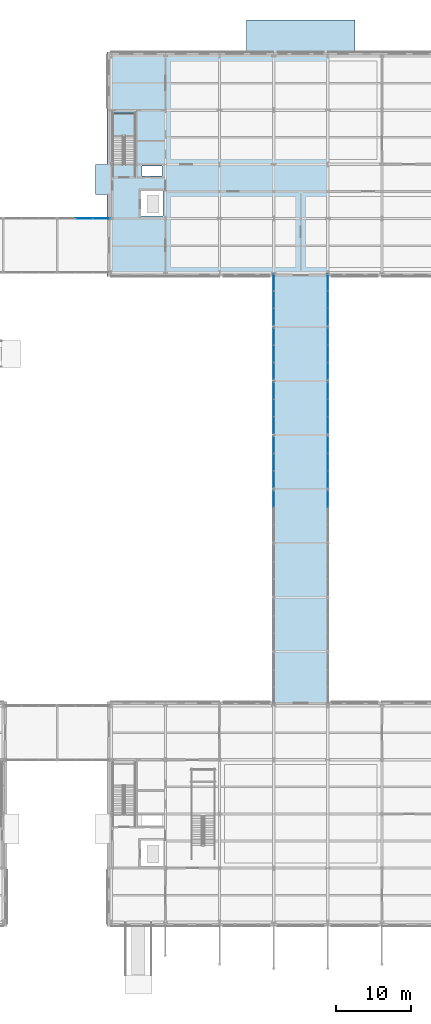
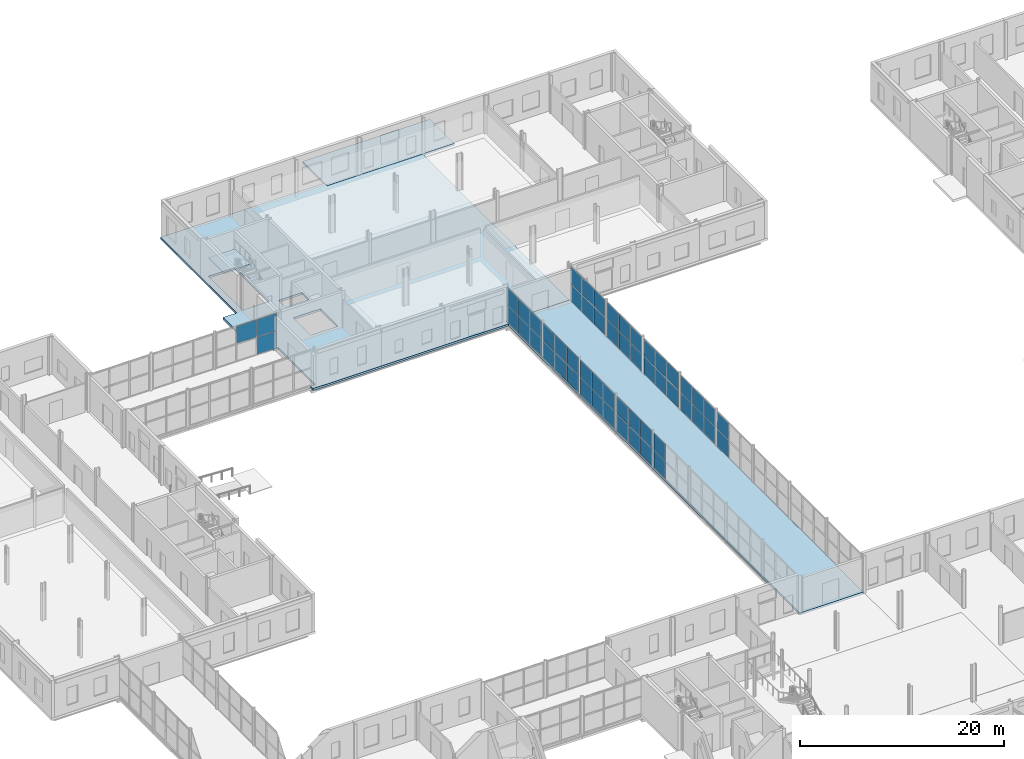
# One storey, part 46 of 92: 55 plates, 4 slabs, 12 elements without a shape of their own.
"""IFC4 building model written with IfcOpenShell, lengths in metres."""

from ifc_helpers import new_model, si_unit, direction, frame, origin, origin_2d, place, context, subcontext, project, spatial, polyline, rectangle, outline, extrude, material, layer, layer_set, type_object, element, aggregate, save


model = new_model("IFC4")

# Units and contexts
model_context = context("Model", 3, precision=1e-05, world=origin(), true_north=direction((0.0, 1.0)))
body_context = subcontext(model_context, "Body", "Model", "MODEL_VIEW")
ifc_project = project(units=[si_unit("LENGTHUNIT", "METRE"), si_unit("AREAUNIT", "SQUARE_METRE"), si_unit("VOLUMEUNIT", "CUBIC_METRE"), si_unit("PLANEANGLEUNIT", "RADIAN"), si_unit("MASSUNIT", "GRAM", prefix="KILO")], contexts=[model_context])

# Site, building, storey
site_placement = place(None, origin())
site = spatial("IfcSite", under=ifc_project, at=site_placement, CompositionType="ELEMENT")
building_placement = place(site_placement, origin())
building = spatial("IfcBuilding", under=site, at=building_placement, Name="Zlatovets Crest Museum", CompositionType="ELEMENT")
storey_placement = place(building_placement, origin())
storey = spatial("IfcBuildingStorey", under=building, at=storey_placement, Name="L00", CompositionType="ELEMENT", Elevation=0.0)

# Curtain wall, plates
ifc_material_1 = material(Name="Bronze-anodised aluminium and low-E triple glass", Category="aluminium")
curtain_wall_type_1 = type_object("IfcCurtainWallType", Name="CW_CW-BR3-L00-S69", PredefinedType="NOTDEFINED", material=ifc_material_1)
curtain_wall_1_placement = place(storey_placement, origin())
curtain_wall_1 = element("IfcCurtainWall", 1, at=curtain_wall_1_placement, inside=storey, type_object=curtain_wall_type_1, Name="Northwest Crest Glazed Link Bridge L00 Glazed Bridge Curtain Wall", PredefinedType="NOTDEFINED")
ifc_material_2 = material(Name="Solar-control low-E laminated triple glass", Category="glass")
ifc_layer_1 = layer(ifc_material_2, 0.030029296875)
ifc_layer_set_1 = layer_set([ifc_layer_1], Name="Solar-control low-E laminated triple glass")
plate_type_1 = type_object("IfcPlateType", Name="CWPanel_CW-BR3-L00-S69", PredefinedType="CURTAIN_PANEL", material=ifc_layer_set_1)
plate_1_placement = place(storey_placement, frame((54.0, 93.60009765625, 2.169921875), z_axis=(0.0, 0.0, 1.0), x_axis=(1.0, 0.0, 0.0)))
plate_1 = element("IfcPlate", 2, at=plate_1_placement, type_object=plate_type_1, Name="CW-BR3-L00-S69 panel 2.2", PredefinedType="CURTAIN_PANEL", context=body_context, shape_type="SweptSolid", body=[
    extrude(rectangle(XDim=2.239990234375, YDim=0.030029296875, at=origin_2d()), origin(), (0.0, 0.0, 1.0), 2.050048828125),
])
plate_2_placement = place(storey_placement, frame((56.284912109375, 93.60009765625, 0.06005859375), z_axis=(0.0, 0.0, 1.0), x_axis=(1.0, 0.0, 0.0)))
plate_2 = element("IfcPlate", 3, at=plate_2_placement, type_object=plate_type_1, Name="CW-BR3-L00-S69 panel 3.1", PredefinedType="CURTAIN_PANEL", context=body_context, shape_type="SweptSolid", body=[
    extrude(rectangle(XDim=2.2099609375, YDim=0.030029296875, at=origin_2d()), origin(), (0.0, 0.0, 1.0), 2.050048828125),
])
plate_3_placement = place(storey_placement, frame((56.284912109375, 93.60009765625, 2.169921875), z_axis=(0.0, 0.0, 1.0), x_axis=(1.0, 0.0, 0.0)))
plate_3 = element("IfcPlate", 4, at=plate_3_placement, type_object=plate_type_1, Name="CW-BR3-L00-S69 panel 3.2", PredefinedType="CURTAIN_PANEL", context=body_context, shape_type="SweptSolid", body=[
    extrude(rectangle(XDim=2.2099609375, YDim=0.030029296875, at=origin_2d()), origin(), (0.0, 0.0, 1.0), 2.050048828125),
])
aggregate(curtain_wall_1, [plate_1, plate_2, plate_3])

curtain_wall_type_2 = type_object("IfcCurtainWallType", Name="CW_CW-BR5-L00-S69", PredefinedType="NOTDEFINED", material=ifc_material_1)
curtain_wall_2_placement = place(storey_placement, origin())
curtain_wall_2 = element("IfcCurtainWall", 5, at=curtain_wall_2_placement, inside=storey, type_object=curtain_wall_type_2, Name="Central Sculpture Court Cloister and Skywalk L00 Glazed Bridge Curtain Wall", PredefinedType="NOTDEFINED")
ifc_layer_2 = layer(ifc_material_2, 0.030029296875)
ifc_layer_set_2 = layer_set([ifc_layer_2], Name="Solar-control low-E laminated triple glass")
plate_type_2 = type_object("IfcPlateType", Name="CWPanel_CW-BR5-L00-S69", PredefinedType="CURTAIN_PANEL", material=ifc_layer_set_2)
plate_4_placement = place(storey_placement, frame((79.199951171875, 56.284912109375, 0.06005859375), z_axis=(0.0, 0.0, 1.0), x_axis=(0.0, 1.0, 0.0)))
plate_4 = element("IfcPlate", 6, at=plate_4_placement, type_object=plate_type_2, Name="CW-BR5-L00-S69 panel 3.1", PredefinedType="CURTAIN_PANEL", context=body_context, shape_type="SweptSolid", body=[
    extrude(rectangle(XDim=2.2099609375, YDim=0.030029296875, at=origin_2d()), origin(), (0.0, 0.0, 1.0), 2.050048828125),
])
plate_5_placement = place(storey_placement, frame((79.199951171875, 56.284912109375, 2.169921875), z_axis=(0.0, 0.0, 1.0), x_axis=(0.0, 1.0, 0.0)))
plate_5 = element("IfcPlate", 7, at=plate_5_placement, type_object=plate_type_2, Name="CW-BR5-L00-S69 panel 3.2", PredefinedType="CURTAIN_PANEL", context=body_context, shape_type="SweptSolid", body=[
    extrude(rectangle(XDim=2.2099609375, YDim=0.030029296875, at=origin_2d()), origin(), (0.0, 0.0, 1.0), 2.050048828125),
])
aggregate(curtain_wall_2, [plate_4, plate_5])

curtain_wall_3_placement = place(storey_placement, origin())
curtain_wall_3 = element("IfcCurtainWall", 8, at=curtain_wall_3_placement, inside=storey, type_object=curtain_wall_type_2, Name="Central Sculpture Court Cloister and Skywalk L00 Glazed Bridge Curtain Wall", PredefinedType="NOTDEFINED")
plate_6_placement = place(storey_placement, frame((79.199951171875, 58.9150390625, 0.06005859375), z_axis=(0.0, 0.0, 1.0), x_axis=(0.0, 1.0, 0.0)))
plate_6 = element("IfcPlate", 9, at=plate_6_placement, type_object=plate_type_2, Name="CW-BR5-L00-S69 panel 1.1", PredefinedType="CURTAIN_PANEL", context=body_context, shape_type="SweptSolid", body=[
    extrude(rectangle(XDim=2.2099609375, YDim=0.030029296875, at=origin_2d()), origin(), (0.0, 0.0, 1.0), 2.050048828125),
])
plate_7_placement = place(storey_placement, frame((79.199951171875, 58.9150390625, 2.169921875), z_axis=(0.0, 0.0, 1.0), x_axis=(0.0, 1.0, 0.0)))
plate_7 = element("IfcPlate", 10, at=plate_7_placement, type_object=plate_type_2, Name="CW-BR5-L00-S69 panel 1.2", PredefinedType="CURTAIN_PANEL", context=body_context, shape_type="SweptSolid", body=[
    extrude(rectangle(XDim=2.2099609375, YDim=0.030029296875, at=origin_2d()), origin(), (0.0, 0.0, 1.0), 2.050048828125),
])
plate_8_placement = place(storey_placement, frame((79.199951171875, 61.199951171875, 0.06005859375), z_axis=(0.0, 0.0, 1.0), x_axis=(0.0, 1.0, 0.0)))
plate_8 = element("IfcPlate", 11, at=plate_8_placement, type_object=plate_type_2, Name="CW-BR5-L00-S69 panel 2.1", PredefinedType="CURTAIN_PANEL", context=body_context, shape_type="SweptSolid", body=[
    extrude(rectangle(XDim=2.239990234375, YDim=0.030029296875, at=origin_2d()), origin(), (0.0, 0.0, 1.0), 2.050048828125),
])
plate_9_placement = place(storey_placement, frame((79.199951171875, 61.199951171875, 2.169921875), z_axis=(0.0, 0.0, 1.0), x_axis=(0.0, 1.0, 0.0)))
plate_9 = element("IfcPlate", 12, at=plate_9_placement, type_object=plate_type_2, Name="CW-BR5-L00-S69 panel 2.2", PredefinedType="CURTAIN_PANEL", context=body_context, shape_type="SweptSolid", body=[
    extrude(rectangle(XDim=2.239990234375, YDim=0.030029296875, at=origin_2d()), origin(), (0.0, 0.0, 1.0), 2.050048828125),
])
plate_10_placement = place(storey_placement, frame((79.199951171875, 63.485107421875, 0.06005859375), z_axis=(0.0, 0.0, 1.0), x_axis=(0.0, 1.0, 0.0)))
plate_10 = element("IfcPlate", 13, at=plate_10_placement, type_object=plate_type_2, Name="CW-BR5-L00-S69 panel 3.1", PredefinedType="CURTAIN_PANEL", context=body_context, shape_type="SweptSolid", body=[
    extrude(rectangle(XDim=2.2099609375, YDim=0.030029296875, at=origin_2d()), origin(), (0.0, 0.0, 1.0), 2.050048828125),
])
plate_11_placement = place(storey_placement, frame((79.199951171875, 63.485107421875, 2.169921875), z_axis=(0.0, 0.0, 1.0), x_axis=(0.0, 1.0, 0.0)))
plate_11 = element("IfcPlate", 14, at=plate_11_placement, type_object=plate_type_2, Name="CW-BR5-L00-S69 panel 3.2", PredefinedType="CURTAIN_PANEL", context=body_context, shape_type="SweptSolid", body=[
    extrude(rectangle(XDim=2.2099609375, YDim=0.030029296875, at=origin_2d()), origin(), (0.0, 0.0, 1.0), 2.050048828125),
])
aggregate(curtain_wall_3, [plate_6, plate_7, plate_8, plate_9, plate_10, plate_11])

curtain_wall_4_placement = place(storey_placement, origin())
curtain_wall_4 = element("IfcCurtainWall", 15, at=curtain_wall_4_placement, inside=storey, type_object=curtain_wall_type_2, Name="Central Sculpture Court Cloister and Skywalk L00 Glazed Bridge Curtain Wall", PredefinedType="NOTDEFINED")
plate_12_placement = place(storey_placement, frame((79.199951171875, 66.114990234375, 0.06005859375), z_axis=(0.0, 0.0, 1.0), x_axis=(0.0, 1.0, 0.0)))
plate_12 = element("IfcPlate", 16, at=plate_12_placement, type_object=plate_type_2, Name="CW-BR5-L00-S69 panel 1.1", PredefinedType="CURTAIN_PANEL", context=body_context, shape_type="SweptSolid", body=[
    extrude(rectangle(XDim=2.2099609375, YDim=0.030029296875, at=origin_2d()), origin(), (0.0, 0.0, 1.0), 2.050048828125),
])
plate_13_placement = place(storey_placement, frame((79.199951171875, 66.114990234375, 2.169921875), z_axis=(0.0, 0.0, 1.0), x_axis=(0.0, 1.0, 0.0)))
plate_13 = element("IfcPlate", 17, at=plate_13_placement, type_object=plate_type_2, Name="CW-BR5-L00-S69 panel 1.2", PredefinedType="CURTAIN_PANEL", context=body_context, shape_type="SweptSolid", body=[
    extrude(rectangle(XDim=2.2099609375, YDim=0.030029296875, at=origin_2d()), origin(), (0.0, 0.0, 1.0), 2.050048828125),
])
plate_14_placement = place(storey_placement, frame((79.199951171875, 68.39990234375, 0.06005859375), z_axis=(0.0, 0.0, 1.0), x_axis=(0.0, 1.0, 0.0)))
plate_14 = element("IfcPlate", 18, at=plate_14_placement, type_object=plate_type_2, Name="CW-BR5-L00-S69 panel 2.1", PredefinedType="CURTAIN_PANEL", context=body_context, shape_type="SweptSolid", body=[
    extrude(rectangle(XDim=2.239990234375, YDim=0.030029296875, at=origin_2d()), origin(), (0.0, 0.0, 1.0), 2.050048828125),
])
plate_15_placement = place(storey_placement, frame((79.199951171875, 68.39990234375, 2.169921875), z_axis=(0.0, 0.0, 1.0), x_axis=(0.0, 1.0, 0.0)))
plate_15 = element("IfcPlate", 19, at=plate_15_placement, type_object=plate_type_2, Name="CW-BR5-L00-S69 panel 2.2", PredefinedType="CURTAIN_PANEL", context=body_context, shape_type="SweptSolid", body=[
    extrude(rectangle(XDim=2.239990234375, YDim=0.030029296875, at=origin_2d()), origin(), (0.0, 0.0, 1.0), 2.050048828125),
])
plate_16_placement = place(storey_placement, frame((79.199951171875, 70.68505859375, 0.06005859375), z_axis=(0.0, 0.0, 1.0), x_axis=(0.0, 1.0, 0.0)))
plate_16 = element("IfcPlate", 20, at=plate_16_placement, type_object=plate_type_2, Name="CW-BR5-L00-S69 panel 3.1", PredefinedType="CURTAIN_PANEL", context=body_context, shape_type="SweptSolid", body=[
    extrude(rectangle(XDim=2.2099609375, YDim=0.030029296875, at=origin_2d()), origin(), (0.0, 0.0, 1.0), 2.050048828125),
])
plate_17_placement = place(storey_placement, frame((79.199951171875, 70.68505859375, 2.169921875), z_axis=(0.0, 0.0, 1.0), x_axis=(0.0, 1.0, 0.0)))
plate_17 = element("IfcPlate", 21, at=plate_17_placement, type_object=plate_type_2, Name="CW-BR5-L00-S69 panel 3.2", PredefinedType="CURTAIN_PANEL", context=body_context, shape_type="SweptSolid", body=[
    extrude(rectangle(XDim=2.2099609375, YDim=0.030029296875, at=origin_2d()), origin(), (0.0, 0.0, 1.0), 2.050048828125),
])
aggregate(curtain_wall_4, [plate_12, plate_13, plate_14, plate_15, plate_16, plate_17])

curtain_wall_5_placement = place(storey_placement, origin())
curtain_wall_5 = element("IfcCurtainWall", 22, at=curtain_wall_5_placement, inside=storey, type_object=curtain_wall_type_2, Name="Central Sculpture Court Cloister and Skywalk L00 Glazed Bridge Curtain Wall", PredefinedType="NOTDEFINED")
plate_18_placement = place(storey_placement, frame((79.199951171875, 73.31494140625, 0.06005859375), z_axis=(0.0, 0.0, 1.0), x_axis=(0.0, 1.0, 0.0)))
plate_18 = element("IfcPlate", 23, at=plate_18_placement, type_object=plate_type_2, Name="CW-BR5-L00-S69 panel 1.1", PredefinedType="CURTAIN_PANEL", context=body_context, shape_type="SweptSolid", body=[
    extrude(rectangle(XDim=2.2099609375, YDim=0.030029296875, at=origin_2d()), origin(), (0.0, 0.0, 1.0), 2.050048828125),
])
plate_19_placement = place(storey_placement, frame((79.199951171875, 73.31494140625, 2.169921875), z_axis=(0.0, 0.0, 1.0), x_axis=(0.0, 1.0, 0.0)))
plate_19 = element("IfcPlate", 24, at=plate_19_placement, type_object=plate_type_2, Name="CW-BR5-L00-S69 panel 1.2", PredefinedType="CURTAIN_PANEL", context=body_context, shape_type="SweptSolid", body=[
    extrude(rectangle(XDim=2.2099609375, YDim=0.030029296875, at=origin_2d()), origin(), (0.0, 0.0, 1.0), 2.050048828125),
])
plate_20_placement = place(storey_placement, frame((79.199951171875, 75.60009765625, 0.06005859375), z_axis=(0.0, 0.0, 1.0), x_axis=(0.0, 1.0, 0.0)))
plate_20 = element("IfcPlate", 25, at=plate_20_placement, type_object=plate_type_2, Name="CW-BR5-L00-S69 panel 2.1", PredefinedType="CURTAIN_PANEL", context=body_context, shape_type="SweptSolid", body=[
    extrude(rectangle(XDim=2.239990234375, YDim=0.030029296875, at=origin_2d()), origin(), (0.0, 0.0, 1.0), 2.050048828125),
])
plate_21_placement = place(storey_placement, frame((79.199951171875, 75.60009765625, 2.169921875), z_axis=(0.0, 0.0, 1.0), x_axis=(0.0, 1.0, 0.0)))
plate_21 = element("IfcPlate", 26, at=plate_21_placement, type_object=plate_type_2, Name="CW-BR5-L00-S69 panel 2.2", PredefinedType="CURTAIN_PANEL", context=body_context, shape_type="SweptSolid", body=[
    extrude(rectangle(XDim=2.239990234375, YDim=0.030029296875, at=origin_2d()), origin(), (0.0, 0.0, 1.0), 2.050048828125),
])
plate_22_placement = place(storey_placement, frame((79.199951171875, 77.885009765625, 0.06005859375), z_axis=(0.0, 0.0, 1.0), x_axis=(0.0, 1.0, 0.0)))
plate_22 = element("IfcPlate", 27, at=plate_22_placement, type_object=plate_type_2, Name="CW-BR5-L00-S69 panel 3.1", PredefinedType="CURTAIN_PANEL", context=body_context, shape_type="SweptSolid", body=[
    extrude(rectangle(XDim=2.2099609375, YDim=0.030029296875, at=origin_2d()), origin(), (0.0, 0.0, 1.0), 2.050048828125),
])
plate_23_placement = place(storey_placement, frame((79.199951171875, 77.885009765625, 2.169921875), z_axis=(0.0, 0.0, 1.0), x_axis=(0.0, 1.0, 0.0)))
plate_23 = element("IfcPlate", 28, at=plate_23_placement, type_object=plate_type_2, Name="CW-BR5-L00-S69 panel 3.2", PredefinedType="CURTAIN_PANEL", context=body_context, shape_type="SweptSolid", body=[
    extrude(rectangle(XDim=2.2099609375, YDim=0.030029296875, at=origin_2d()), origin(), (0.0, 0.0, 1.0), 2.050048828125),
])
aggregate(curtain_wall_5, [plate_18, plate_19, plate_20, plate_21, plate_22, plate_23])

curtain_wall_6_placement = place(storey_placement, origin())
curtain_wall_6 = element("IfcCurtainWall", 29, at=curtain_wall_6_placement, inside=storey, type_object=curtain_wall_type_2, Name="Central Sculpture Court Cloister and Skywalk L00 Glazed Bridge Curtain Wall", PredefinedType="NOTDEFINED")
plate_24_placement = place(storey_placement, frame((79.199951171875, 80.514892578125, 0.06005859375), z_axis=(0.0, 0.0, 1.0), x_axis=(0.0, 1.0, 0.0)))
plate_24 = element("IfcPlate", 30, at=plate_24_placement, type_object=plate_type_2, Name="CW-BR5-L00-S69 panel 1.1", PredefinedType="CURTAIN_PANEL", context=body_context, shape_type="SweptSolid", body=[
    extrude(rectangle(XDim=2.2099609375, YDim=0.030029296875, at=origin_2d()), origin(), (0.0, 0.0, 1.0), 2.050048828125),
])
plate_25_placement = place(storey_placement, frame((79.199951171875, 80.514892578125, 2.169921875), z_axis=(0.0, 0.0, 1.0), x_axis=(0.0, 1.0, 0.0)))
plate_25 = element("IfcPlate", 31, at=plate_25_placement, type_object=plate_type_2, Name="CW-BR5-L00-S69 panel 1.2", PredefinedType="CURTAIN_PANEL", context=body_context, shape_type="SweptSolid", body=[
    extrude(rectangle(XDim=2.2099609375, YDim=0.030029296875, at=origin_2d()), origin(), (0.0, 0.0, 1.0), 2.050048828125),
])
plate_26_placement = place(storey_placement, frame((79.199951171875, 82.800048828125, 0.06005859375), z_axis=(0.0, 0.0, 1.0), x_axis=(0.0, 1.0, 0.0)))
plate_26 = element("IfcPlate", 32, at=plate_26_placement, type_object=plate_type_2, Name="CW-BR5-L00-S69 panel 2.1", PredefinedType="CURTAIN_PANEL", context=body_context, shape_type="SweptSolid", body=[
    extrude(rectangle(XDim=2.239990234375, YDim=0.030029296875, at=origin_2d()), origin(), (0.0, 0.0, 1.0), 2.050048828125),
])
plate_27_placement = place(storey_placement, frame((79.199951171875, 82.800048828125, 2.169921875), z_axis=(0.0, 0.0, 1.0), x_axis=(0.0, 1.0, 0.0)))
plate_27 = element("IfcPlate", 33, at=plate_27_placement, type_object=plate_type_2, Name="CW-BR5-L00-S69 panel 2.2", PredefinedType="CURTAIN_PANEL", context=body_context, shape_type="SweptSolid", body=[
    extrude(rectangle(XDim=2.239990234375, YDim=0.030029296875, at=origin_2d()), origin(), (0.0, 0.0, 1.0), 2.050048828125),
])
plate_28_placement = place(storey_placement, frame((79.199951171875, 85.0849609375, 0.06005859375), z_axis=(0.0, 0.0, 1.0), x_axis=(0.0, 1.0, 0.0)))
plate_28 = element("IfcPlate", 34, at=plate_28_placement, type_object=plate_type_2, Name="CW-BR5-L00-S69 panel 3.1", PredefinedType="CURTAIN_PANEL", context=body_context, shape_type="SweptSolid", body=[
    extrude(rectangle(XDim=2.2099609375, YDim=0.030029296875, at=origin_2d()), origin(), (0.0, 0.0, 1.0), 2.050048828125),
])
plate_29_placement = place(storey_placement, frame((79.199951171875, 85.0849609375, 2.169921875), z_axis=(0.0, 0.0, 1.0), x_axis=(0.0, 1.0, 0.0)))
plate_29 = element("IfcPlate", 35, at=plate_29_placement, type_object=plate_type_2, Name="CW-BR5-L00-S69 panel 3.2", PredefinedType="CURTAIN_PANEL", context=body_context, shape_type="SweptSolid", body=[
    extrude(rectangle(XDim=2.2099609375, YDim=0.030029296875, at=origin_2d()), origin(), (0.0, 0.0, 1.0), 2.050048828125),
])
aggregate(curtain_wall_6, [plate_24, plate_25, plate_26, plate_27, plate_28, plate_29])

curtain_wall_7_placement = place(storey_placement, origin())
curtain_wall_7 = element("IfcCurtainWall", 36, at=curtain_wall_7_placement, inside=storey, type_object=curtain_wall_type_2, Name="Central Sculpture Court Cloister and Skywalk L00 Glazed Bridge Curtain Wall", PredefinedType="NOTDEFINED")
plate_30_placement = place(storey_placement, frame((86.39990234375, 56.284912109375, 0.06005859375), z_axis=(0.0, 0.0, 1.0), x_axis=(0.0, 1.0, 0.0)))
plate_30 = element("IfcPlate", 37, at=plate_30_placement, type_object=plate_type_2, Name="CW-BR5-L00-S69 panel 3.1", PredefinedType="CURTAIN_PANEL", context=body_context, shape_type="SweptSolid", body=[
    extrude(rectangle(XDim=2.2099609375, YDim=0.030029296875, at=origin_2d()), origin(), (0.0, 0.0, 1.0), 2.050048828125),
])
plate_31_placement = place(storey_placement, frame((86.39990234375, 56.284912109375, 2.169921875), z_axis=(0.0, 0.0, 1.0), x_axis=(0.0, 1.0, 0.0)))
plate_31 = element("IfcPlate", 38, at=plate_31_placement, type_object=plate_type_2, Name="CW-BR5-L00-S69 panel 3.2", PredefinedType="CURTAIN_PANEL", context=body_context, shape_type="SweptSolid", body=[
    extrude(rectangle(XDim=2.2099609375, YDim=0.030029296875, at=origin_2d()), origin(), (0.0, 0.0, 1.0), 2.050048828125),
])
aggregate(curtain_wall_7, [plate_30, plate_31])

curtain_wall_8_placement = place(storey_placement, origin())
curtain_wall_8 = element("IfcCurtainWall", 39, at=curtain_wall_8_placement, inside=storey, type_object=curtain_wall_type_2, Name="Central Sculpture Court Cloister and Skywalk L00 Glazed Bridge Curtain Wall", PredefinedType="NOTDEFINED")
plate_32_placement = place(storey_placement, frame((86.39990234375, 58.9150390625, 0.06005859375), z_axis=(0.0, 0.0, 1.0), x_axis=(0.0, 1.0, 0.0)))
plate_32 = element("IfcPlate", 40, at=plate_32_placement, type_object=plate_type_2, Name="CW-BR5-L00-S69 panel 1.1", PredefinedType="CURTAIN_PANEL", context=body_context, shape_type="SweptSolid", body=[
    extrude(rectangle(XDim=2.2099609375, YDim=0.030029296875, at=origin_2d()), origin(), (0.0, 0.0, 1.0), 2.050048828125),
])
plate_33_placement = place(storey_placement, frame((86.39990234375, 58.9150390625, 2.169921875), z_axis=(0.0, 0.0, 1.0), x_axis=(0.0, 1.0, 0.0)))
plate_33 = element("IfcPlate", 41, at=plate_33_placement, type_object=plate_type_2, Name="CW-BR5-L00-S69 panel 1.2", PredefinedType="CURTAIN_PANEL", context=body_context, shape_type="SweptSolid", body=[
    extrude(rectangle(XDim=2.2099609375, YDim=0.030029296875, at=origin_2d()), origin(), (0.0, 0.0, 1.0), 2.050048828125),
])
plate_34_placement = place(storey_placement, frame((86.39990234375, 61.199951171875, 0.06005859375), z_axis=(0.0, 0.0, 1.0), x_axis=(0.0, 1.0, 0.0)))
plate_34 = element("IfcPlate", 42, at=plate_34_placement, type_object=plate_type_2, Name="CW-BR5-L00-S69 panel 2.1", PredefinedType="CURTAIN_PANEL", context=body_context, shape_type="SweptSolid", body=[
    extrude(rectangle(XDim=2.239990234375, YDim=0.030029296875, at=origin_2d()), origin(), (0.0, 0.0, 1.0), 2.050048828125),
])
plate_35_placement = place(storey_placement, frame((86.39990234375, 61.199951171875, 2.169921875), z_axis=(0.0, 0.0, 1.0), x_axis=(0.0, 1.0, 0.0)))
plate_35 = element("IfcPlate", 43, at=plate_35_placement, type_object=plate_type_2, Name="CW-BR5-L00-S69 panel 2.2", PredefinedType="CURTAIN_PANEL", context=body_context, shape_type="SweptSolid", body=[
    extrude(rectangle(XDim=2.239990234375, YDim=0.030029296875, at=origin_2d()), origin(), (0.0, 0.0, 1.0), 2.050048828125),
])
plate_36_placement = place(storey_placement, frame((86.39990234375, 63.485107421875, 0.06005859375), z_axis=(0.0, 0.0, 1.0), x_axis=(0.0, 1.0, 0.0)))
plate_36 = element("IfcPlate", 44, at=plate_36_placement, type_object=plate_type_2, Name="CW-BR5-L00-S69 panel 3.1", PredefinedType="CURTAIN_PANEL", context=body_context, shape_type="SweptSolid", body=[
    extrude(rectangle(XDim=2.2099609375, YDim=0.030029296875, at=origin_2d()), origin(), (0.0, 0.0, 1.0), 2.050048828125),
])
plate_37_placement = place(storey_placement, frame((86.39990234375, 63.485107421875, 2.169921875), z_axis=(0.0, 0.0, 1.0), x_axis=(0.0, 1.0, 0.0)))
plate_37 = element("IfcPlate", 45, at=plate_37_placement, type_object=plate_type_2, Name="CW-BR5-L00-S69 panel 3.2", PredefinedType="CURTAIN_PANEL", context=body_context, shape_type="SweptSolid", body=[
    extrude(rectangle(XDim=2.2099609375, YDim=0.030029296875, at=origin_2d()), origin(), (0.0, 0.0, 1.0), 2.050048828125),
])
aggregate(curtain_wall_8, [plate_32, plate_33, plate_34, plate_35, plate_36, plate_37])

curtain_wall_9_placement = place(storey_placement, origin())
curtain_wall_9 = element("IfcCurtainWall", 46, at=curtain_wall_9_placement, inside=storey, type_object=curtain_wall_type_2, Name="Central Sculpture Court Cloister and Skywalk L00 Glazed Bridge Curtain Wall", PredefinedType="NOTDEFINED")
plate_38_placement = place(storey_placement, frame((86.39990234375, 66.114990234375, 0.06005859375), z_axis=(0.0, 0.0, 1.0), x_axis=(0.0, 1.0, 0.0)))
plate_38 = element("IfcPlate", 47, at=plate_38_placement, type_object=plate_type_2, Name="CW-BR5-L00-S69 panel 1.1", PredefinedType="CURTAIN_PANEL", context=body_context, shape_type="SweptSolid", body=[
    extrude(rectangle(XDim=2.2099609375, YDim=0.030029296875, at=origin_2d()), origin(), (0.0, 0.0, 1.0), 2.050048828125),
])
plate_39_placement = place(storey_placement, frame((86.39990234375, 66.114990234375, 2.169921875), z_axis=(0.0, 0.0, 1.0), x_axis=(0.0, 1.0, 0.0)))
plate_39 = element("IfcPlate", 48, at=plate_39_placement, type_object=plate_type_2, Name="CW-BR5-L00-S69 panel 1.2", PredefinedType="CURTAIN_PANEL", context=body_context, shape_type="SweptSolid", body=[
    extrude(rectangle(XDim=2.2099609375, YDim=0.030029296875, at=origin_2d()), origin(), (0.0, 0.0, 1.0), 2.050048828125),
])
plate_40_placement = place(storey_placement, frame((86.39990234375, 68.39990234375, 0.06005859375), z_axis=(0.0, 0.0, 1.0), x_axis=(0.0, 1.0, 0.0)))
plate_40 = element("IfcPlate", 49, at=plate_40_placement, type_object=plate_type_2, Name="CW-BR5-L00-S69 panel 2.1", PredefinedType="CURTAIN_PANEL", context=body_context, shape_type="SweptSolid", body=[
    extrude(rectangle(XDim=2.239990234375, YDim=0.030029296875, at=origin_2d()), origin(), (0.0, 0.0, 1.0), 2.050048828125),
])
plate_41_placement = place(storey_placement, frame((86.39990234375, 68.39990234375, 2.169921875), z_axis=(0.0, 0.0, 1.0), x_axis=(0.0, 1.0, 0.0)))
plate_41 = element("IfcPlate", 50, at=plate_41_placement, type_object=plate_type_2, Name="CW-BR5-L00-S69 panel 2.2", PredefinedType="CURTAIN_PANEL", context=body_context, shape_type="SweptSolid", body=[
    extrude(rectangle(XDim=2.239990234375, YDim=0.030029296875, at=origin_2d()), origin(), (0.0, 0.0, 1.0), 2.050048828125),
])
plate_42_placement = place(storey_placement, frame((86.39990234375, 70.68505859375, 0.06005859375), z_axis=(0.0, 0.0, 1.0), x_axis=(0.0, 1.0, 0.0)))
plate_42 = element("IfcPlate", 51, at=plate_42_placement, type_object=plate_type_2, Name="CW-BR5-L00-S69 panel 3.1", PredefinedType="CURTAIN_PANEL", context=body_context, shape_type="SweptSolid", body=[
    extrude(rectangle(XDim=2.2099609375, YDim=0.030029296875, at=origin_2d()), origin(), (0.0, 0.0, 1.0), 2.050048828125),
])
plate_43_placement = place(storey_placement, frame((86.39990234375, 70.68505859375, 2.169921875), z_axis=(0.0, 0.0, 1.0), x_axis=(0.0, 1.0, 0.0)))
plate_43 = element("IfcPlate", 52, at=plate_43_placement, type_object=plate_type_2, Name="CW-BR5-L00-S69 panel 3.2", PredefinedType="CURTAIN_PANEL", context=body_context, shape_type="SweptSolid", body=[
    extrude(rectangle(XDim=2.2099609375, YDim=0.030029296875, at=origin_2d()), origin(), (0.0, 0.0, 1.0), 2.050048828125),
])
aggregate(curtain_wall_9, [plate_38, plate_39, plate_40, plate_41, plate_42, plate_43])

curtain_wall_10_placement = place(storey_placement, origin())
curtain_wall_10 = element("IfcCurtainWall", 53, at=curtain_wall_10_placement, inside=storey, type_object=curtain_wall_type_2, Name="Central Sculpture Court Cloister and Skywalk L00 Glazed Bridge Curtain Wall", PredefinedType="NOTDEFINED")
plate_44_placement = place(storey_placement, frame((86.39990234375, 73.31494140625, 0.06005859375), z_axis=(0.0, 0.0, 1.0), x_axis=(0.0, 1.0, 0.0)))
plate_44 = element("IfcPlate", 54, at=plate_44_placement, type_object=plate_type_2, Name="CW-BR5-L00-S69 panel 1.1", PredefinedType="CURTAIN_PANEL", context=body_context, shape_type="SweptSolid", body=[
    extrude(rectangle(XDim=2.2099609375, YDim=0.030029296875, at=origin_2d()), origin(), (0.0, 0.0, 1.0), 2.050048828125),
])
plate_45_placement = place(storey_placement, frame((86.39990234375, 73.31494140625, 2.169921875), z_axis=(0.0, 0.0, 1.0), x_axis=(0.0, 1.0, 0.0)))
plate_45 = element("IfcPlate", 55, at=plate_45_placement, type_object=plate_type_2, Name="CW-BR5-L00-S69 panel 1.2", PredefinedType="CURTAIN_PANEL", context=body_context, shape_type="SweptSolid", body=[
    extrude(rectangle(XDim=2.2099609375, YDim=0.030029296875, at=origin_2d()), origin(), (0.0, 0.0, 1.0), 2.050048828125),
])
plate_46_placement = place(storey_placement, frame((86.39990234375, 75.60009765625, 0.06005859375), z_axis=(0.0, 0.0, 1.0), x_axis=(0.0, 1.0, 0.0)))
plate_46 = element("IfcPlate", 56, at=plate_46_placement, type_object=plate_type_2, Name="CW-BR5-L00-S69 panel 2.1", PredefinedType="CURTAIN_PANEL", context=body_context, shape_type="SweptSolid", body=[
    extrude(rectangle(XDim=2.239990234375, YDim=0.030029296875, at=origin_2d()), origin(), (0.0, 0.0, 1.0), 2.050048828125),
])
plate_47_placement = place(storey_placement, frame((86.39990234375, 75.60009765625, 2.169921875), z_axis=(0.0, 0.0, 1.0), x_axis=(0.0, 1.0, 0.0)))
plate_47 = element("IfcPlate", 57, at=plate_47_placement, type_object=plate_type_2, Name="CW-BR5-L00-S69 panel 2.2", PredefinedType="CURTAIN_PANEL", context=body_context, shape_type="SweptSolid", body=[
    extrude(rectangle(XDim=2.239990234375, YDim=0.030029296875, at=origin_2d()), origin(), (0.0, 0.0, 1.0), 2.050048828125),
])
plate_48_placement = place(storey_placement, frame((86.39990234375, 77.885009765625, 0.06005859375), z_axis=(0.0, 0.0, 1.0), x_axis=(0.0, 1.0, 0.0)))
plate_48 = element("IfcPlate", 58, at=plate_48_placement, type_object=plate_type_2, Name="CW-BR5-L00-S69 panel 3.1", PredefinedType="CURTAIN_PANEL", context=body_context, shape_type="SweptSolid", body=[
    extrude(rectangle(XDim=2.2099609375, YDim=0.030029296875, at=origin_2d()), origin(), (0.0, 0.0, 1.0), 2.050048828125),
])
plate_49_placement = place(storey_placement, frame((86.39990234375, 77.885009765625, 2.169921875), z_axis=(0.0, 0.0, 1.0), x_axis=(0.0, 1.0, 0.0)))
plate_49 = element("IfcPlate", 59, at=plate_49_placement, type_object=plate_type_2, Name="CW-BR5-L00-S69 panel 3.2", PredefinedType="CURTAIN_PANEL", context=body_context, shape_type="SweptSolid", body=[
    extrude(rectangle(XDim=2.2099609375, YDim=0.030029296875, at=origin_2d()), origin(), (0.0, 0.0, 1.0), 2.050048828125),
])
aggregate(curtain_wall_10, [plate_44, plate_45, plate_46, plate_47, plate_48, plate_49])

curtain_wall_11_placement = place(storey_placement, origin())
curtain_wall_11 = element("IfcCurtainWall", 60, at=curtain_wall_11_placement, inside=storey, type_object=curtain_wall_type_2, Name="Central Sculpture Court Cloister and Skywalk L00 Glazed Bridge Curtain Wall", PredefinedType="NOTDEFINED")
plate_50_placement = place(storey_placement, frame((86.39990234375, 80.514892578125, 0.06005859375), z_axis=(0.0, 0.0, 1.0), x_axis=(0.0, 1.0, 0.0)))
plate_50 = element("IfcPlate", 61, at=plate_50_placement, type_object=plate_type_2, Name="CW-BR5-L00-S69 panel 1.1", PredefinedType="CURTAIN_PANEL", context=body_context, shape_type="SweptSolid", body=[
    extrude(rectangle(XDim=2.2099609375, YDim=0.030029296875, at=origin_2d()), origin(), (0.0, 0.0, 1.0), 2.050048828125),
])
plate_51_placement = place(storey_placement, frame((86.39990234375, 80.514892578125, 2.169921875), z_axis=(0.0, 0.0, 1.0), x_axis=(0.0, 1.0, 0.0)))
plate_51 = element("IfcPlate", 62, at=plate_51_placement, type_object=plate_type_2, Name="CW-BR5-L00-S69 panel 1.2", PredefinedType="CURTAIN_PANEL", context=body_context, shape_type="SweptSolid", body=[
    extrude(rectangle(XDim=2.2099609375, YDim=0.030029296875, at=origin_2d()), origin(), (0.0, 0.0, 1.0), 2.050048828125),
])
plate_52_placement = place(storey_placement, frame((86.39990234375, 82.800048828125, 0.06005859375), z_axis=(0.0, 0.0, 1.0), x_axis=(0.0, 1.0, 0.0)))
plate_52 = element("IfcPlate", 63, at=plate_52_placement, type_object=plate_type_2, Name="CW-BR5-L00-S69 panel 2.1", PredefinedType="CURTAIN_PANEL", context=body_context, shape_type="SweptSolid", body=[
    extrude(rectangle(XDim=2.239990234375, YDim=0.030029296875, at=origin_2d()), origin(), (0.0, 0.0, 1.0), 2.050048828125),
])
plate_53_placement = place(storey_placement, frame((86.39990234375, 82.800048828125, 2.169921875), z_axis=(0.0, 0.0, 1.0), x_axis=(0.0, 1.0, 0.0)))
plate_53 = element("IfcPlate", 64, at=plate_53_placement, type_object=plate_type_2, Name="CW-BR5-L00-S69 panel 2.2", PredefinedType="CURTAIN_PANEL", context=body_context, shape_type="SweptSolid", body=[
    extrude(rectangle(XDim=2.239990234375, YDim=0.030029296875, at=origin_2d()), origin(), (0.0, 0.0, 1.0), 2.050048828125),
])
plate_54_placement = place(storey_placement, frame((86.39990234375, 85.0849609375, 0.06005859375), z_axis=(0.0, 0.0, 1.0), x_axis=(0.0, 1.0, 0.0)))
plate_54 = element("IfcPlate", 65, at=plate_54_placement, type_object=plate_type_2, Name="CW-BR5-L00-S69 panel 3.1", PredefinedType="CURTAIN_PANEL", context=body_context, shape_type="SweptSolid", body=[
    extrude(rectangle(XDim=2.2099609375, YDim=0.030029296875, at=origin_2d()), origin(), (0.0, 0.0, 1.0), 2.050048828125),
])
plate_55_placement = place(storey_placement, frame((86.39990234375, 85.0849609375, 2.169921875), z_axis=(0.0, 0.0, 1.0), x_axis=(0.0, 1.0, 0.0)))
plate_55 = element("IfcPlate", 66, at=plate_55_placement, type_object=plate_type_2, Name="CW-BR5-L00-S69 panel 3.2", PredefinedType="CURTAIN_PANEL", context=body_context, shape_type="SweptSolid", body=[
    extrude(rectangle(XDim=2.2099609375, YDim=0.030029296875, at=origin_2d()), origin(), (0.0, 0.0, 1.0), 2.050048828125),
])
aggregate(curtain_wall_11, [plate_50, plate_51, plate_52, plate_53, plate_54, plate_55])

# Slabs
ifc_material_3 = material(Name="Concrete C30/37", Category="concrete")
ifc_layer_3 = layer(ifc_material_3, 0.25)
ifc_layer_set_3 = layer_set([ifc_layer_3], Name="Concrete C30/37")
slab_type_1 = type_object("IfcSlabType", Name="Slab_FS-01", PredefinedType="FLOOR", material=ifc_layer_set_3)
slab_1_placement = place(storey_placement, frame((0.0, 0.0, -0.25)))
element("IfcSlab", 67, at=slab_1_placement, inside=storey, type_object=slab_type_1, Name="V1 L00 Structural Slab Panel 1", PredefinedType="FLOOR", context=body_context, shape_type="SweptSolid", body=[
    extrude(outline(polyline([(57.06005859375, 115.739990234375), (75.580078125, 115.739990234375), (75.580078125, 115.179931640625), (86.39990234375, 115.179931640625), (86.39990234375, 86.419921875), (79.179931640625, 86.419921875), (79.179931640625, 85.860107421875), (57.06005859375, 85.860107421875), (57.06005859375, 86.3798828125), (57.6201171875, 86.3798828125), (57.6201171875, 93.6201171875), (57.06005859375, 93.6201171875), (57.06005859375, 96.800048828125), (55.5, 96.800048828125), (55.5, 100.800048828125), (57.06005859375, 100.800048828125), (57.06005859375, 115.739990234375)]), holes=[polyline([(57.800048828125, 107.60009765625), (57.800048828125, 100.93994140625), (60.800048828125, 100.93994140625), (60.800048828125, 107.60009765625), (57.800048828125, 107.60009765625)]), polyline([(64.5, 93.89990234375), (64.5, 97.300048828125), (61.449951171875, 97.300048828125), (61.449951171875, 93.89990234375), (64.5, 93.89990234375)]), polyline([(61.699951171875, 99.25), (64.35009765625, 99.25), (64.35009765625, 100.60009765625), (61.699951171875, 100.60009765625), (61.699951171875, 99.25)])]), origin(), (0.0, 0.0, 1.0), 0.25),
])
slab_2_placement = place(storey_placement, frame((0.0, 0.0, -0.25)))
element("IfcSlab", 68, at=slab_2_placement, inside=storey, type_object=slab_type_1, Name="Central Sculpture Court Cloister and Skywalk L00 Deck Slab", PredefinedType="FLOOR", context=body_context, shape_type="SweptSolid", body=[
    extrude(outline(polyline([(86.39990234375, 28.800048828125), (86.39990234375, 86.39990234375), (79.199951171875, 86.39990234375), (79.199951171875, 28.800048828125), (86.39990234375, 28.800048828125)])), origin(), (0.0, 0.0, 1.0), 0.25),
])
ifc_layer_4 = layer(ifc_material_3, 0.239990234375)
ifc_layer_set_4 = layer_set([ifc_layer_4], Name="Concrete C30/37")
slab_type_2 = type_object("IfcSlabType", Name="Slab_TS-01", PredefinedType="FLOOR", material=ifc_layer_set_4)
slab_3_placement = place(storey_placement, frame((0.0, 0.0, -0.239990234375)))
element("IfcSlab", 69, at=slab_3_placement, inside=storey, type_object=slab_type_2, Name="North Crest Garden Entrance Plaza Slab", PredefinedType="FLOOR", context=body_context, shape_type="SweptSolid", body=[
    extrude(outline(polyline([(75.60009765625, 115.199951171875), (90.0, 115.199951171875), (90.0, 120.0), (75.60009765625, 120.0), (75.60009765625, 115.199951171875)])), origin(), (0.0, 0.0, 1.0), 0.239990234375),
])

# Stair, slab
ifc_material_4 = material(Name="Concrete C35/45", Category="concrete")
stair_type = type_object("IfcStairType", Name="Stair_ST1-28R", PredefinedType="HALF_TURN_STAIR", material=ifc_material_4)
stair_placement = place(storey_placement, origin())
stair = element("IfcStair", 70, at=stair_placement, inside=storey, type_object=stair_type, Name="L00 Core C1 Escape Stair ST1", PredefinedType="HALF_TURN_STAIR")
ifc_layer_5 = layer(ifc_material_4, 0.199951171875)
ifc_layer_set_5 = layer_set([ifc_layer_5], Name="Concrete C35/45")
slab_type_3 = type_object("IfcSlabType", Name="StairLanding_SLD1", PredefinedType="LANDING", material=ifc_layer_set_5)
slab_4_placement = place(storey_placement, frame((0.0, 0.0, 2.050048828125)))
slab_4 = element("IfcSlab", 71, at=slab_4_placement, type_object=slab_type_3, Name="ST1 landing 1", PredefinedType="LANDING", context=body_context, shape_type="SweptSolid", body=[
    extrude(outline(polyline([(60.800048828125, 104.60009765625), (60.800048828125, 107.60009765625), (57.800048828125, 107.60009765625), (57.800048828125, 104.60009765625), (60.800048828125, 104.60009765625)])), origin(), (0.0, 0.0, 1.0), 0.199951171875),
])
aggregate(stair, [slab_4])

save(model, "model.ifc")
